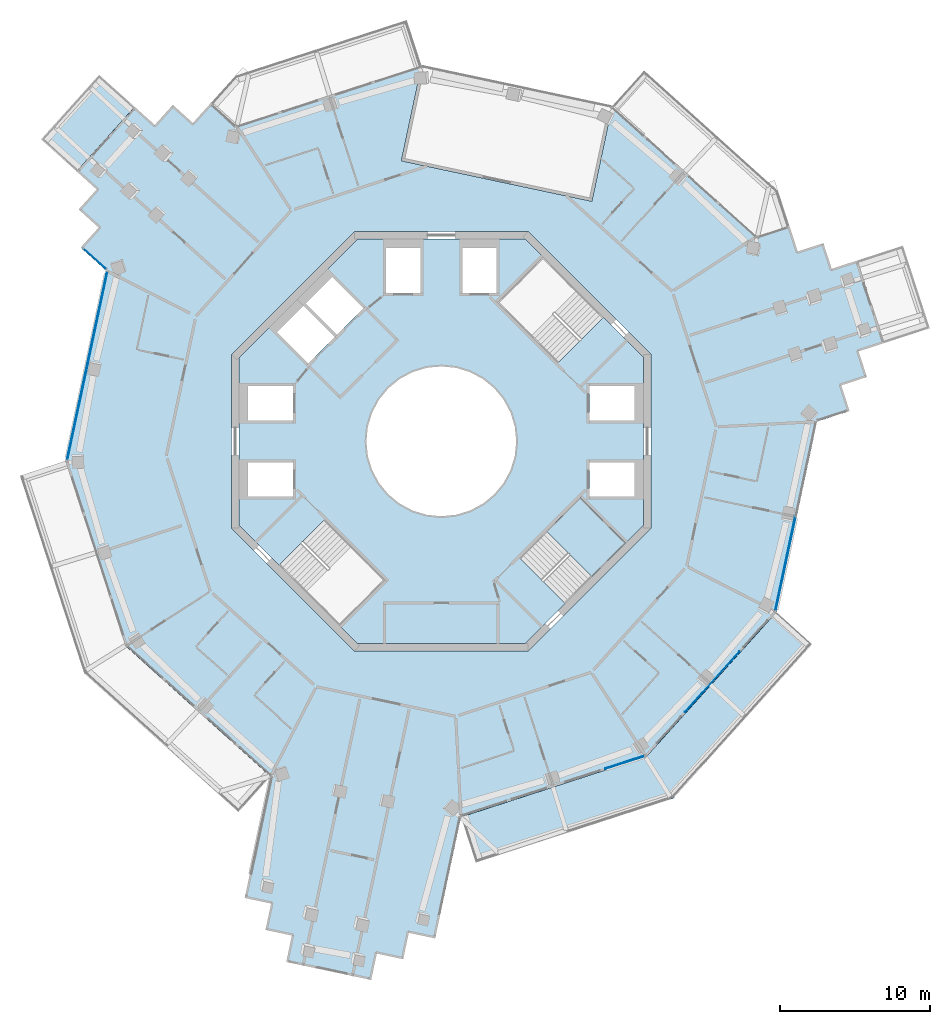
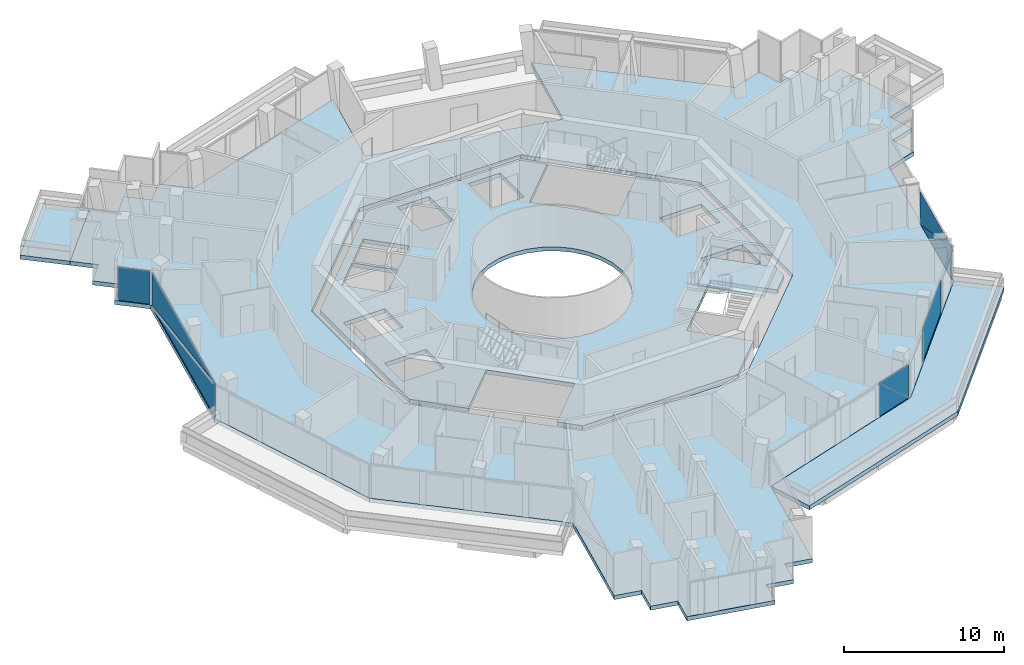
# One storey, part 11 of 22: 8 plates, 5 slabs, 6 elements without a shape of their own.
"""IFC4 building model written with IfcOpenShell, lengths in metres."""

from ifc_helpers import new_model, si_unit, direction, frame, origin, origin_2d, place, context, subcontext, project, spatial, polyline, rectangle, outline, extrude, material, layer, layer_set, type_object, element, aggregate, save


model = new_model("IFC4")

# Units and contexts
model_context = context("Model", 3, precision=1e-05, world=origin(), true_north=direction((0.0, 1.0)))
body_context = subcontext(model_context, "Body", "Model", "MODEL_VIEW")
ifc_project = project(units=[si_unit("LENGTHUNIT", "METRE"), si_unit("AREAUNIT", "SQUARE_METRE"), si_unit("VOLUMEUNIT", "CUBIC_METRE"), si_unit("PLANEANGLEUNIT", "RADIAN"), si_unit("MASSUNIT", "GRAM", prefix="KILO")], contexts=[model_context])

# Site, building, storey
site_placement = place(None, origin())
site = spatial("IfcSite", under=ifc_project, at=site_placement, CompositionType="ELEMENT")
building_placement = place(site_placement, origin())
building = spatial("IfcBuilding", under=site, at=building_placement, Name="Verdalira Terraces Hotel", CompositionType="ELEMENT")
storey_placement = place(building_placement, frame((0.0, 0.0, 230.5)))
storey = spatial("IfcBuildingStorey", under=building, at=storey_placement, Name="L56", CompositionType="ELEMENT", Elevation=230.5)

# Slabs
ifc_material_1 = material(Name="Precast concrete C40/50", Category="concrete")
ifc_layer_1 = layer(ifc_material_1, 0.31005859375)
ifc_layer_set_1 = layer_set([ifc_layer_1], Name="Balcony deck 310")
slab_type_1 = type_object("IfcSlabType", Name="Balcony deck 310", PredefinedType="FLOOR", material=ifc_layer_set_1)
slab_1_placement = place(storey_placement, frame((0.0, 0.0, -0.310059)))
element("IfcSlab", 1, at=slab_1_placement, inside=storey, type_object=slab_type_1, Name="Balcony deck", PredefinedType="FLOOR", context=body_context, shape_type="SweptSolid", body=[
    extrude(outline(polyline([(-26.721191, 20.157715), (-24.343262, 18.016357), (-20.462402, 22.32666), (-22.840332, 24.467773), (-26.721191, 20.157715)])), origin(), (0.0, 0.0, 1.0), 0.310059),
])
slab_2_placement = place(storey_placement, frame((0.0, 0.0, -0.310059)))
element("IfcSlab", 2, at=slab_2_placement, inside=storey, type_object=slab_type_1, Name="Balcony deck", PredefinedType="FLOOR", context=body_context, shape_type="SweptSolid", body=[
    extrude(outline(polyline([(24.754883, -13.542725), (22.376709, -11.401611), (13.678223, -21.0625), (1.314453, -25.07959), (2.303223, -28.123047), (15.482422, -23.84082), (24.754883, -13.542725)])), origin(), (0.0, 0.0, 1.0), 0.310059),
])

# Curtain wall, plates
ifc_material_2 = material(Name="Clear glass", Category="glass")
ifc_layer_2 = layer(ifc_material_2, 0.14990234375)
ifc_layer_set_2 = layer_set([ifc_layer_2], Name="CW1 curtain wall")
curtain_wall_type_1 = type_object("IfcCurtainWallType", Name="CW1 curtain wall", PredefinedType="NOTDEFINED", material=ifc_layer_set_2)
curtain_wall_1_placement = place(storey_placement, origin())
curtain_wall_1 = element("IfcCurtainWall", 3, at=curtain_wall_1_placement, inside=storey, type_object=curtain_wall_type_1, Name="CW1 curtain wall L56 edge 11", PredefinedType="NOTDEFINED")
ifc_material_3 = material(Name="Clear glass", Category="glass")
ifc_layer_3 = layer(ifc_material_3, 0.028076171875)
ifc_layer_set_3 = layer_set([ifc_layer_3], Name="CW1 glass unit 28")
plate_type_1 = type_object("IfcPlateType", Name="CW1 glass unit 28", PredefinedType="CURTAIN_PANEL", material=ifc_layer_set_3)
plate_1_placement = place(storey_placement, frame((-23.636963, 5.044678, 1.262451), z_axis=(-0.978147601, 0.207911691, 0.0), x_axis=(-0.207911691, -0.978147601, 0.0)))
plate_1 = element("IfcPlate", 4, at=plate_1_placement, type_object=plate_type_1, Name="CW1 glass unit", PredefinedType="CURTAIN_PANEL", context=body_context, shape_type="SweptSolid", body=[
    extrude(outline(polyline([(-6.419922, -1.262451), (6.419922, -1.262451), (6.419922, 1.262451), (-6.419922, -1.262451)])), origin(), (0.0, 0.0, 1.0), 0.028076),
])
plate_2_placement = place(storey_placement, frame((-23.608398, 5.038574, 1.262451), z_axis=(-0.978147601, 0.207911691, 0.0), x_axis=(-0.207911691, -0.978147601, 0.0)))
plate_2 = element("IfcPlate", 5, at=plate_2_placement, type_object=plate_type_1, Name="CW1 glass unit", PredefinedType="CURTAIN_PANEL", context=body_context, shape_type="SweptSolid", body=[
    extrude(outline(polyline([(-6.419922, -1.262451), (6.419922, 1.262451), (-6.419922, 1.262451), (-6.419922, -1.262451)])), origin(), (0.0, 0.0, 1.0), 0.028076),
])
aggregate(curtain_wall_1, [plate_1, plate_2])

curtain_wall_2_placement = place(storey_placement, origin())
curtain_wall_2 = element("IfcCurtainWall", 6, at=curtain_wall_2_placement, inside=storey, type_object=curtain_wall_type_1, Name="CW1 curtain wall L56 edge 25", PredefinedType="NOTDEFINED")
plate_3_placement = place(storey_placement, frame((12.25293, -21.431885, 1.262451), z_axis=(0.309016994, -0.951056516, 0.0), x_axis=(0.951056516, 0.309016994, 0.0)))
plate_3 = element("IfcPlate", 7, at=plate_3_placement, type_object=plate_type_1, Name="CW1 glass unit", PredefinedType="CURTAIN_PANEL", context=body_context, shape_type="SweptSolid", body=[
    extrude(outline(polyline([(-1.369141, -1.262451), (1.369141, -1.262451), (-1.369141, 1.262451), (-1.369141, -1.262451)])), origin(), (0.0, 0.0, 1.0), 0.028076),
])
plate_4_placement = place(storey_placement, frame((12.243896, -21.404297, 1.262451), z_axis=(0.309016994, -0.951056516, 0.0), x_axis=(0.951056516, 0.309016994, 0.0)))
plate_4 = element("IfcPlate", 8, at=plate_4_placement, type_object=plate_type_1, Name="CW1 glass unit", PredefinedType="CURTAIN_PANEL", context=body_context, shape_type="SweptSolid", body=[
    extrude(outline(polyline([(1.369141, -1.262451), (1.369141, 1.262451), (-1.369141, 1.262451), (1.369141, -1.262451)])), origin(), (0.0, 0.0, 1.0), 0.028076),
])
aggregate(curtain_wall_2, [plate_3, plate_4])

# Curtain wall, plate
curtain_wall_3_placement = place(storey_placement, origin())
curtain_wall_3 = element("IfcCurtainWall", 9, at=curtain_wall_3_placement, inside=storey, type_object=curtain_wall_type_1, Name="CW1 curtain wall L56 edge 26", PredefinedType="NOTDEFINED")
plate_5_placement = place(storey_placement, frame((18.091797, -16.04834, 0.0), z_axis=(0.0, 0.0, 1.0), x_axis=(0.669130606, 0.743144825, 0.0)))
plate_5 = element("IfcPlate", 10, at=plate_5_placement, type_object=plate_type_1, Name="CW1 glass unit", PredefinedType="CURTAIN_PANEL", context=body_context, shape_type="SweptSolid", body=[
    extrude(rectangle(XDim=5.432373, YDim=0.028076, at=origin_2d()), origin(), (0.0, 0.0, 1.0), 2.524902),
])
aggregate(curtain_wall_3, [plate_5])

# Curtain wall, plates
curtain_wall_4_placement = place(storey_placement, origin())
curtain_wall_4 = element("IfcCurtainWall", 11, at=curtain_wall_4_placement, inside=storey, type_object=curtain_wall_type_1, Name="CW1 curtain wall L56 edge 27", PredefinedType="NOTDEFINED")
plate_6_placement = place(storey_placement, frame((22.9729, -8.169678, 1.262451), z_axis=(0.978147601, -0.207911691, 0.0), x_axis=(0.207911691, 0.978147601, 0.0)))
plate_6 = element("IfcPlate", 12, at=plate_6_placement, type_object=plate_type_1, Name="CW1 glass unit", PredefinedType="CURTAIN_PANEL", context=body_context, shape_type="SweptSolid", body=[
    extrude(outline(polyline([(-3.185059, -1.262451), (3.185059, -1.262451), (-3.185059, 1.262451), (-3.185059, -1.262451)])), origin(), (0.0, 0.0, 1.0), 0.028076),
])
plate_7_placement = place(storey_placement, frame((22.944336, -8.163574, 1.262451), z_axis=(0.978147601, -0.207911691, 0.0), x_axis=(0.207911691, 0.978147601, 0.0)))
plate_7 = element("IfcPlate", 13, at=plate_7_placement, type_object=plate_type_1, Name="CW1 glass unit", PredefinedType="CURTAIN_PANEL", context=body_context, shape_type="SweptSolid", body=[
    extrude(outline(polyline([(3.185059, -1.262451), (3.185059, 1.262451), (-3.185059, 1.262451), (3.185059, -1.262451)])), origin(), (0.0, 0.0, 1.0), 0.028076),
])
aggregate(curtain_wall_4, [plate_6, plate_7])

# Curtain wall, plate
ifc_material_4 = material(Name="Clear glass", Category="glass")
ifc_layer_4 = layer(ifc_material_4, 0.14990234375)
ifc_layer_set_4 = layer_set([ifc_layer_4], Name="CW2 curtain wall")
curtain_wall_type_2 = type_object("IfcCurtainWallType", Name="CW2 curtain wall", PredefinedType="NOTDEFINED", material=ifc_layer_set_4)
curtain_wall_5_placement = place(storey_placement, origin())
curtain_wall_5 = element("IfcCurtainWall", 14, at=curtain_wall_5_placement, inside=storey, type_object=curtain_wall_type_2, Name="CW2 curtain wall L56 edge 10", PredefinedType="NOTDEFINED")
ifc_material_5 = material(Name="Clear glass", Category="glass")
ifc_layer_5 = layer(ifc_material_5, 0.031982421875)
ifc_layer_set_5 = layer_set([ifc_layer_5], Name="CW2 glass unit 32")
plate_type_2 = type_object("IfcPlateType", Name="CW2 glass unit 32", PredefinedType="CURTAIN_PANEL", material=ifc_layer_set_5)
plate_8_placement = place(storey_placement, frame((-23.12085, 12.172363, 0.0), z_axis=(0.0, 0.0, 1.0), x_axis=(0.743144825, -0.669130606, 0.0)))
plate_8 = element("IfcPlate", 15, at=plate_8_placement, type_object=plate_type_2, Name="CW2 glass unit", PredefinedType="CURTAIN_PANEL", context=body_context, shape_type="SweptSolid", body=[
    extrude(rectangle(XDim=1.997559, YDim=0.031982, at=origin_2d()), origin(), (0.0, 0.0, 1.0), 2.524902),
])
aggregate(curtain_wall_5, [plate_8])

# Slab
ifc_material_6 = material(Name="Concrete C40", Category="concrete")
ifc_layer_6 = layer(ifc_material_6, 0.31005859375)
ifc_layer_set_6 = layer_set([ifc_layer_6], Name="Core floor slab 310 mm")
slab_type_2 = type_object("IfcSlabType", Name="Core floor slab 310 mm", PredefinedType="FLOOR", material=ifc_layer_set_6)
slab_3_placement = place(storey_placement, frame((0.0, 0.0, -0.310059)))
element("IfcSlab", 16, at=slab_3_placement, inside=storey, type_object=slab_type_2, Name="L56 core floor", PredefinedType="FLOOR", context=body_context, shape_type="SweptSolid", body=[
    extrude(outline(polyline([(-6.77417, -12.317871), (-3.719482, -9.263184), (-7.763672, -5.21875), (-10.818359, -8.273438), (-13.5, -5.591797), (-13.5, 5.591797), (-5.591797, 13.5), (5.591797, 13.5), (6.77417, 12.317871), (3.719482, 9.263184), (7.763672, 5.21875), (10.818359, 8.273438), (13.5, 5.591797), (13.5, -5.591797), (12.317871, -6.77417), (9.263184, -3.719482), (5.21875, -7.763672), (8.273438, -10.818359), (5.591797, -13.5), (-5.591797, -13.5), (-6.77417, -12.317871)]), holes=[polyline([(9.899902, -1.399902), (9.899902, -3.699951), (12.899902, -3.699951), (12.899902, -1.399902), (9.899902, -1.399902)]), polyline([(9.899902, 3.699951), (9.899902, 1.399902), (12.899902, 1.399902), (12.899902, 3.699951), (9.899902, 3.699951)]), polyline([(3.699951, 12.899902), (1.399902, 12.899902), (1.399902, 9.899902), (3.699951, 9.899902), (3.699951, 12.899902)]), polyline([(-1.399902, 12.899902), (-3.699951, 12.899902), (-3.699951, 9.899902), (-1.399902, 9.899902), (-1.399902, 12.899902)]), polyline([(-9.899902, 1.399902), (-9.899902, 3.699951), (-12.899902, 3.699951), (-12.899902, 1.399902), (-9.899902, 1.399902)]), polyline([(-9.899902, -3.699951), (-9.899902, -1.399902), (-12.899902, -1.399902), (-12.899902, -3.699951), (-9.899902, -3.699951)]), polyline([(-9.051025, 9.192383), (-6.965088, 7.106445), (-5.197266, 8.874268), (-7.283203, 10.960205), (-9.051025, 9.192383)]), polyline([(-9.192383, 9.051025), (-10.960205, 7.283203), (-8.874268, 5.197266), (-7.106445, 6.965088), (-9.192383, 9.051025)]), polyline([(3.5354, 3.5354), (2.777832, 4.157227), (1.91333, 4.619385), (0.975586, 4.903809), (0.0, 5.0), (-0.975586, 4.903809), (-1.91333, 4.619385), (-2.777832, 4.157227), (-3.5354, 3.5354), (-4.157227, 2.777832), (-4.619385, 1.91333), (-4.903809, 0.975586), (-5.0, 0.0), (-4.903809, -0.975586), (-4.619385, -1.91333), (-4.157227, -2.777832), (-3.5354, -3.5354), (-2.777832, -4.157227), (-1.91333, -4.619385), (-0.975586, -4.903809), (0.0, -5.0), (0.975586, -4.903809), (1.91333, -4.619385), (2.777832, -4.157227), (3.5354, -3.5354), (4.157227, -2.777832), (4.619385, -1.91333), (4.903809, -0.975586), (5.0, 0.0), (4.903809, 0.975586), (4.619385, 1.91333), (4.157227, 2.777832), (3.5354, 3.5354)])]), origin(), (0.0, 0.0, 1.0), 0.310059),
])

# Stair, slab
ifc_material_7 = material(Name="Concrete C40", Category="concrete")
stair_type = type_object("IfcStairType", Name="Core stair 20 risers 2100 mm wide", PredefinedType="HALF_TURN_STAIR", material=ifc_material_7)
stair_placement = place(storey_placement, origin())
stair = element("IfcStair", 17, at=stair_placement, inside=storey, type_object=stair_type, Name="L56 Exit stair ST3", PredefinedType="HALF_TURN_STAIR")
ifc_material_8 = material(Name="Concrete C40", Category="concrete")
ifc_layer_7 = layer(ifc_material_8, 0.199951171875)
ifc_layer_set_7 = layer_set([ifc_layer_7], Name="Core stair landing 200 mm")
slab_type_3 = type_object("IfcSlabType", Name="Core stair landing 200 mm", PredefinedType="LANDING", material=ifc_layer_set_7)
slab_4_placement = place(storey_placement, frame((0.0, 0.0, 1.550049)))
slab_4 = element("IfcSlab", 18, at=slab_4_placement, type_object=slab_type_3, Name="ST3 landing 1", PredefinedType="LANDING", context=body_context, shape_type="SweptSolid", body=[
    extrude(outline(polyline([(10.054688, -9.037109), (12.303711, -6.78833), (9.263184, -3.747559), (7.01416, -5.996582), (10.054688, -9.037109)])), origin(), (0.0, 0.0, 1.0), 0.199951),
])
aggregate(stair, [slab_4])

# Slab
ifc_material_9 = material(Name="Concrete C40", Category="concrete")
ifc_layer_8 = layer(ifc_material_9, 0.31005859375)
ifc_layer_set_8 = layer_set([ifc_layer_8], Name="Floor slab 310 C40")
slab_type_4 = type_object("IfcSlabType", Name="Floor slab 310 C40", PredefinedType="FLOOR", material=ifc_layer_set_8)
slab_5_placement = place(storey_placement, frame((0.0, 0.0, -0.310059)))
element("IfcSlab", 19, at=slab_5_placement, inside=storey, type_object=slab_type_4, Name="Floor slab L56", PredefinedType="FLOOR", context=body_context, shape_type="SweptSolid", body=[
    extrude(outline(polyline([(23.238037, 14.38501), (21.0625, 13.677979), (11.4021, 22.376465), (10.050537, 16.018311), (-2.666504, 18.721191), (-1.314941, 25.07959), (-13.677979, 21.0625), (-15.378174, 22.593018), (-16.58252, 21.255615), (-17.920166, 22.459961), (-19.124512, 21.122314), (-20.462402, 22.32666), (-24.343262, 18.016357), (-23.005615, 16.812012), (-24.209961, 15.474365), (-22.872314, 14.27002), (-24.076904, 12.932129), (-22.376709, 11.401611), (-25.07959, -1.314453), (-21.0625, -13.677979), (-11.401611, -22.376709), (-13.124512, -30.483398), (-11.364014, -30.857422), (-11.738281, -32.618164), (-9.977539, -32.992432), (-10.351807, -34.753174), (-4.678467, -35.958984), (-4.304199, -34.198242), (-2.543701, -34.57251), (-2.169434, -32.812012), (-0.408691, -33.186035), (1.314453, -25.07959), (13.677979, -21.0625), (22.376709, -11.401611), (25.07959, 1.314453), (27.255371, 2.02124), (26.698975, 3.733154), (28.410889, 4.289307), (27.854736, 6.001221), (29.56665, 6.557617), (27.774414, 12.07373), (26.0625, 11.517334), (25.506104, 13.229248), (23.794189, 12.673096), (23.238037, 14.38501)]), holes=[polyline([(5.799072, 14.0), (14.0, 5.799072), (14.0, -5.799072), (5.799072, -14.0), (-5.799072, -14.0), (-14.0, -5.799072), (-14.0, 5.799072), (-5.799072, 14.0), (5.799072, 14.0)])]), origin(), (0.0, 0.0, 1.0), 0.310059),
])

save(model, "model.ifc")
